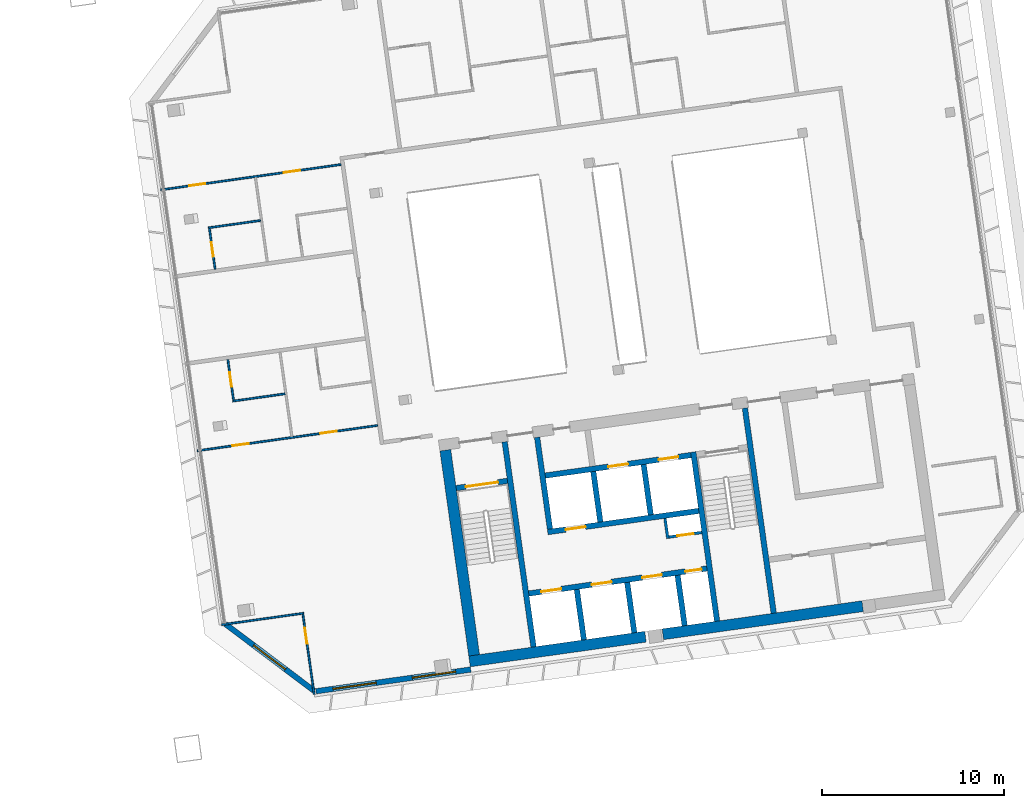
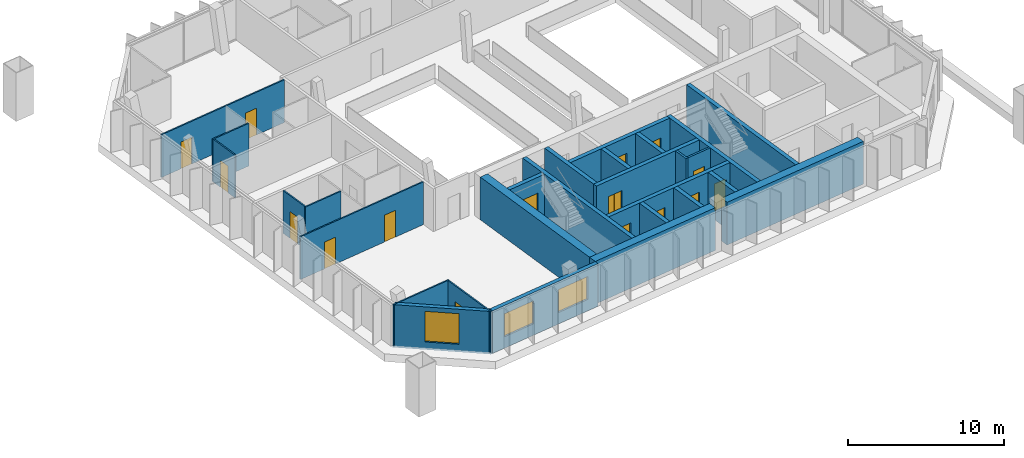
# One storey, part 19 of 26: 28 walls, 16 doors, 3 windows, 19 openings.
"""IFC4 building model written with IfcOpenShell, lengths in metres."""

from ifc_helpers import new_model, si_unit, direction, frame, frame_2d, origin, place, context, subcontext, project, spatial, rectangle, extrude, material, layer, layer_set, type_object, element, fill, save


model = new_model("IFC4")

# Units and contexts
model_context = context("Model", 3, precision=1e-05, world=origin(), true_north=direction((0.0, 1.0)))
body_context = subcontext(model_context, "Body", "Model", "MODEL_VIEW")
ifc_project = project(units=[si_unit("LENGTHUNIT", "METRE"), si_unit("AREAUNIT", "SQUARE_METRE"), si_unit("VOLUMEUNIT", "CUBIC_METRE"), si_unit("PLANEANGLEUNIT", "RADIAN"), si_unit("MASSUNIT", "GRAM", prefix="KILO")], contexts=[model_context])

# Site, building, storey
site_placement = place(None, origin())
site = spatial("IfcSite", under=ifc_project, at=site_placement, CompositionType="ELEMENT")
building_placement = place(site_placement, origin())
building = spatial("IfcBuilding", under=site, at=building_placement, Name="Mirante Cascada Hotel Towers", CompositionType="ELEMENT")
storey_placement = place(building_placement, frame((0.0, 0.0, 235.6)))
storey = spatial("IfcBuildingStorey", under=building, at=storey_placement, Name="L56", CompositionType="ELEMENT", Elevation=235.6)

# Wall
ifc_material_1 = material(Name="Masonry block", Category="masonry")
ifc_layer_1 = layer(ifc_material_1, 0.15)
ifc_layer_set_1 = layer_set([ifc_layer_1], Name="Core room partition 150 block EI 30")
wall_type_1 = type_object("IfcWallType", Name="Core room partition 150 block EI 30", PredefinedType="PARTITIONING", material=ifc_layer_set_1)
wall_1_placement = place(storey_placement, frame((48.2295, -12.793, 0.0), z_axis=(0.0, 0.0, 1.0), x_axis=(-0.1391935, 0.9902652, 0.0)))
element("IfcWall", 1, at=wall_1_placement, inside=storey, type_object=wall_type_1, Name="Core wall partition T2 L56 2", PredefinedType="PARTITIONING", context=body_context, shape_type="SweptSolid", body=[
    extrude(rectangle(XDim=1.1251, YDim=0.15, at=frame_2d((0.5626, 0.0))), origin(), (0.0, 0.0, 1.0), 3.35),
])

# Wall, opening, door
wall_2_placement = place(storey_placement, frame((48.2933, -12.7083, 0.0), z_axis=(0.0, 0.0, 1.0), x_axis=(0.990268, 0.1391734, 0.0)))
wall_2 = element("IfcWall", 2, at=wall_2_placement, inside=storey, type_object=wall_type_1, Name="Core wall partition T2 L56 3", PredefinedType="PARTITIONING", context=body_context, shape_type="SweptSolid", body=[
    extrude(rectangle(XDim=1.8251, YDim=0.15, at=frame_2d((0.9126, 0.0))), origin(), (0.0, 0.0, 1.0), 3.35),
])
opening_1_placement = place(wall_2_placement, frame((0.4625, 0.0, 0.0)))
opening_1 = element("IfcOpeningElement", 3, at=opening_1_placement, cuts=wall_2, Name="Opening D2-56-C15", PredefinedType="OPENING", context=body_context, shape_type="SweptSolid", body=[
    extrude(rectangle(XDim=0.9, YDim=2.1, at=frame_2d((0.45, 1.05))), frame((0.0, 0.075, 0.0), z_axis=(0.0, -1.0, 0.0), x_axis=(1.0, 0.0, 0.0)), (0.0, 0.0, 1.0), 0.15),
])
ifc_material_2 = material(Name="Hollow metal fire door leaf")
door_type_1 = type_object("IfcDoorType", Name="Fire door 900x2100 FD60", OperationType="NOTDEFINED", PredefinedType="DOOR", material=ifc_material_2)
door_1_placement = place(opening_1_placement, frame((0.9, 0.0, 0.0), z_axis=(0.0, 0.0, 1.0), x_axis=(-1.0, 0.0, 0.0)))
door_1 = element("IfcDoor", 4, at=door_1_placement, inside=storey, type_object=door_type_1, Name="Riser door T2 L56 15", OperationType="SINGLE_SWING_RIGHT", OverallHeight=2.1, OverallWidth=0.9, PredefinedType="DOOR", context=body_context, shape_type="SweptSolid", body=[
    extrude(rectangle(XDim=0.9, YDim=2.1, at=frame_2d((0.45, 1.05))), frame((0.0, 0.025, 0.0), z_axis=(0.0, -1.0, 0.0), x_axis=(1.0, 0.0, 0.0)), (0.0, 0.0, 1.0), 0.05),
])
fill(opening_1, door_1)

# Wall
ifc_material_3 = material(Name="Plasterboard on metal studs")
ifc_layer_2 = layer(ifc_material_3, 0.1)
ifc_layer_set_2 = layer_set([ifc_layer_2], Name="Partition 100")
wall_type_2 = type_object("IfcWallType", Name="Partition 100", PredefinedType="PARTITIONING", material=ifc_layer_set_2)
wall_3_placement = place(storey_placement, frame((23.6814, -17.5305, 0.0), z_axis=(0.0, 0.0, 1.0), x_axis=(0.9902695, 0.1391626, 0.0)))
element("IfcWall", 5, at=wall_3_placement, inside=storey, type_object=wall_type_2, Name="Wall 2-L56-01", PredefinedType="PARTITIONING", context=body_context, shape_type="SweptSolid", body=[
    extrude(rectangle(XDim=4.5501, YDim=0.1, at=frame_2d((2.275, 0.0))), origin(), (0.0, 0.0, 1.0), 3.35),
])

# Wall, openings, doors
wall_4_placement = place(storey_placement, frame((22.3361, -7.9579, 0.0), z_axis=(0.0, 0.0, 1.0), x_axis=(0.9902681, 0.1391726, 0.0)))
wall_4 = element("IfcWall", 6, at=wall_4_placement, inside=storey, type_object=wall_type_2, Name="Wall 2-L56-05", PredefinedType="PARTITIONING", context=body_context, shape_type="SweptSolid", body=[
    extrude(rectangle(XDim=10.0185, YDim=0.1, at=frame_2d((5.0092, 0.0))), origin(), (0.0, 0.0, 1.0), 3.35),
])
opening_2_placement = place(wall_4_placement, frame((1.95, 0.0, 0.0)))
opening_2 = element("IfcOpeningElement", 7, at=opening_2_placement, cuts=wall_4, Name="Opening D2-L56-02", PredefinedType="OPENING", context=body_context, shape_type="SweptSolid", body=[
    extrude(rectangle(XDim=0.9, YDim=2.1, at=frame_2d((0.45, 1.05))), frame((0.0, 0.05, 0.0), z_axis=(0.0, -1.0, 0.0), x_axis=(1.0, 0.0, 0.0)), (0.0, 0.0, 1.0), 0.1),
])
opening_3_placement = place(wall_4_placement, frame((6.8389, 0.0, 0.0)))
opening_3 = element("IfcOpeningElement", 8, at=opening_3_placement, cuts=wall_4, Name="Opening D2-L56-03", PredefinedType="OPENING", context=body_context, shape_type="SweptSolid", body=[
    extrude(rectangle(XDim=0.9, YDim=2.1, at=frame_2d((0.45, 1.05))), frame((0.0, 0.05, 0.0), z_axis=(0.0, -1.0, 0.0), x_axis=(1.0, 0.0, 0.0)), (0.0, 0.0, 1.0), 0.1),
])
ifc_material_4 = material(Name="Timber door leaf", Category="wood")
door_type_2 = type_object("IfcDoorType", Name="Room door DG3 900x2100", OperationType="SINGLE_SWING_LEFT", PredefinedType="DOOR", material=ifc_material_4)
door_2_placement = place(opening_2_placement, frame((0.9, 0.0, 0.0), z_axis=(0.0, 0.0, 1.0), x_axis=(-1.0, 0.0, 0.0)))
door_2 = element("IfcDoor", 9, at=door_2_placement, inside=storey, type_object=door_type_2, Name="Door D2-L56-02", OperationType="SINGLE_SWING_RIGHT", OverallHeight=2.1, OverallWidth=0.9, PredefinedType="DOOR", context=body_context, shape_type="SweptSolid", body=[
    extrude(rectangle(XDim=0.9, YDim=2.1, at=frame_2d((0.45, 1.05))), frame((0.0, 0.025, 0.0), z_axis=(0.0, -1.0, 0.0), x_axis=(1.0, 0.0, 0.0)), (0.0, 0.0, 1.0), 0.05),
])
fill(opening_2, door_2)
door_3_placement = place(opening_3_placement, frame((0.9, 0.0, 0.0), z_axis=(0.0, 0.0, 1.0), x_axis=(-1.0, 0.0, 0.0)))
door_3 = element("IfcDoor", 10, at=door_3_placement, inside=storey, type_object=door_type_2, Name="Door D2-L56-03", OperationType="SINGLE_SWING_RIGHT", OverallHeight=2.1, OverallWidth=0.9, PredefinedType="DOOR", context=body_context, shape_type="SweptSolid", body=[
    extrude(rectangle(XDim=0.9, YDim=2.1, at=frame_2d((0.45, 1.05))), frame((0.0, 0.025, 0.0), z_axis=(0.0, -1.0, 0.0), x_axis=(1.0, 0.0, 0.0)), (0.0, 0.0, 1.0), 0.05),
])
fill(opening_3, door_3)

# Walls
wall_5_placement = place(storey_placement, frame((24.2842, -5.2269, 0.0), z_axis=(0.0, 0.0, 1.0), x_axis=(0.9902676, 0.1391761, 0.0)))
element("IfcWall", 11, at=wall_5_placement, inside=storey, type_object=wall_type_2, Name="Wall 2-L56-07", PredefinedType="PARTITIONING", context=body_context, shape_type="SweptSolid", body=[
    extrude(rectangle(XDim=2.8999, YDim=0.1, at=frame_2d((1.45, 0.0))), origin(), (0.0, 0.0, 1.0), 3.35),
])
wall_6_placement = place(storey_placement, frame((22.9435, 4.3127, 0.0), z_axis=(0.0, 0.0, 1.0), x_axis=(0.9902683, 0.1391714, 0.0)))
element("IfcWall", 12, at=wall_6_placement, inside=storey, type_object=wall_type_2, Name="Wall 2-L56-11", PredefinedType="PARTITIONING", context=body_context, shape_type="SweptSolid", body=[
    extrude(rectangle(XDim=2.9, YDim=0.1, at=frame_2d((1.45, 0.0))), origin(), (0.0, 0.0, 1.0), 3.35),
])

# Wall, openings, doors
wall_7_placement = place(storey_placement, frame((20.3181, 6.401, 0.0), z_axis=(0.0, 0.0, 1.0), x_axis=(0.9902681, 0.1391726, 0.0)))
wall_7 = element("IfcWall", 13, at=wall_7_placement, inside=storey, type_object=wall_type_2, Name="Wall 2-L56-13", PredefinedType="PARTITIONING", context=body_context, shape_type="SweptSolid", body=[
    extrude(rectangle(XDim=10.0185, YDim=0.1, at=frame_2d((5.0092, 0.0))), origin(), (0.0, 0.0, 1.0), 3.35),
])
opening_4_placement = place(wall_7_placement, frame((1.5796, 0.0, 0.0)))
opening_4 = element("IfcOpeningElement", 14, at=opening_4_placement, cuts=wall_7, Name="Opening D2-L56-04", PredefinedType="OPENING", context=body_context, shape_type="SweptSolid", body=[
    extrude(rectangle(XDim=0.9, YDim=2.1, at=frame_2d((0.45, 1.05))), frame((0.0, 0.05, 0.0), z_axis=(0.0, -1.0, 0.0), x_axis=(1.0, 0.0, 0.0)), (0.0, 0.0, 1.0), 0.1),
])
opening_5_placement = place(wall_7_placement, frame((6.8389, 0.0, 0.0)))
opening_5 = element("IfcOpeningElement", 15, at=opening_5_placement, cuts=wall_7, Name="Opening D2-L56-05", PredefinedType="OPENING", context=body_context, shape_type="SweptSolid", body=[
    extrude(rectangle(XDim=0.9, YDim=2.1, at=frame_2d((0.45, 1.05))), frame((0.0, 0.05, 0.0), z_axis=(0.0, -1.0, 0.0), x_axis=(1.0, 0.0, 0.0)), (0.0, 0.0, 1.0), 0.1),
])
door_4_placement = place(opening_4_placement, origin())
door_4 = element("IfcDoor", 16, at=door_4_placement, inside=storey, type_object=door_type_2, Name="Door D2-L56-04", OperationType="SINGLE_SWING_LEFT", OverallHeight=2.1, OverallWidth=0.9, PredefinedType="DOOR", context=body_context, shape_type="SweptSolid", body=[
    extrude(rectangle(XDim=0.9, YDim=2.1, at=frame_2d((0.45, 1.05))), frame((0.0, 0.025, 0.0), z_axis=(0.0, -1.0, 0.0), x_axis=(1.0, 0.0, 0.0)), (0.0, 0.0, 1.0), 0.05),
])
fill(opening_4, door_4)
door_5_placement = place(opening_5_placement, origin())
door_5 = element("IfcDoor", 17, at=door_5_placement, inside=storey, type_object=door_type_2, Name="Door D2-L56-05", OperationType="SINGLE_SWING_LEFT", OverallHeight=2.1, OverallWidth=0.9, PredefinedType="DOOR", context=body_context, shape_type="SweptSolid", body=[
    extrude(rectangle(XDim=0.9, YDim=2.1, at=frame_2d((0.45, 1.05))), frame((0.0, 0.025, 0.0), z_axis=(0.0, -1.0, 0.0), x_axis=(1.0, 0.0, 0.0)), (0.0, 0.0, 1.0), 0.05),
])
fill(opening_5, door_5)

# Wall, opening, door
wall_8_placement = place(storey_placement, frame((24.0136, -2.9423, 0.0), z_axis=(0.0, 0.0, 1.0), x_axis=(0.1391561, -0.9902705, 0.0)))
wall_8 = element("IfcWall", 18, at=wall_8_placement, inside=storey, type_object=wall_type_2, Name="Wall 2-L56-24", PredefinedType="PARTITIONING", context=body_context, shape_type="SweptSolid", body=[
    extrude(rectangle(XDim=2.25, YDim=0.1, at=frame_2d((1.125, 0.0))), origin(), (0.0, 0.0, 1.0), 3.35),
])
opening_6_placement = place(wall_8_placement, frame((0.7, 0.0, 0.0)))
opening_6 = element("IfcOpeningElement", 19, at=opening_6_placement, cuts=wall_8, Name="Opening D2-L56-16", PredefinedType="OPENING", context=body_context, shape_type="SweptSolid", body=[
    extrude(rectangle(XDim=0.8, YDim=2.1, at=frame_2d((0.4, 1.05))), frame((0.0, 0.05, 0.0), z_axis=(0.0, -1.0, 0.0), x_axis=(1.0, 0.0, 0.0)), (0.0, 0.0, 1.0), 0.1),
])
ifc_material_5 = material(Name="Timber door leaf", Category="wood")
door_type_3 = type_object("IfcDoorType", Name="Bathroom door DG4 800x2100", OperationType="SINGLE_SWING_LEFT", PredefinedType="DOOR", material=ifc_material_5)
door_6_placement = place(opening_6_placement, origin())
door_6 = element("IfcDoor", 20, at=door_6_placement, inside=storey, type_object=door_type_3, Name="Door D2-L56-16", OperationType="SINGLE_SWING_LEFT", OverallHeight=2.1, OverallWidth=0.8, PredefinedType="DOOR", context=body_context, shape_type="SweptSolid", body=[
    extrude(rectangle(XDim=0.8, YDim=2.1, at=frame_2d((0.4, 1.05))), frame((0.0, 0.025, 0.0), z_axis=(0.0, -1.0, 0.0), x_axis=(1.0, 0.0, 0.0)), (0.0, 0.0, 1.0), 0.05),
])
fill(opening_6, door_6)

wall_9_placement = place(storey_placement, frame((23.3131, 2.042, 0.0), z_axis=(0.0, 0.0, 1.0), x_axis=(-0.1391997, 0.9902643, 0.0)))
wall_9 = element("IfcWall", 21, at=wall_9_placement, inside=storey, type_object=wall_type_2, Name="Wall 2-L56-25", PredefinedType="PARTITIONING", context=body_context, shape_type="SweptSolid", body=[
    extrude(rectangle(XDim=2.25, YDim=0.1, at=frame_2d((1.125, 0.0))), origin(), (0.0, 0.0, 1.0), 3.35),
])
opening_7_placement = place(wall_9_placement, frame((0.7, 0.0, 0.0)))
opening_7 = element("IfcOpeningElement", 22, at=opening_7_placement, cuts=wall_9, Name="Opening D2-L56-17", PredefinedType="OPENING", context=body_context, shape_type="SweptSolid", body=[
    extrude(rectangle(XDim=0.8, YDim=2.1, at=frame_2d((0.4, 1.05))), frame((0.0, 0.05, 0.0), z_axis=(0.0, -1.0, 0.0), x_axis=(1.0, 0.0, 0.0)), (0.0, 0.0, 1.0), 0.1),
])
door_7_placement = place(opening_7_placement, frame((0.8, 0.0, 0.0), z_axis=(0.0, 0.0, 1.0), x_axis=(-1.0, 0.0, 0.0)))
door_7 = element("IfcDoor", 23, at=door_7_placement, inside=storey, type_object=door_type_3, Name="Door D2-L56-17", OperationType="SINGLE_SWING_RIGHT", OverallHeight=2.1, OverallWidth=0.8, PredefinedType="DOOR", context=body_context, shape_type="SweptSolid", body=[
    extrude(rectangle(XDim=0.8, YDim=2.1, at=frame_2d((0.4, 1.05))), frame((0.0, 0.025, 0.0), z_axis=(0.0, -1.0, 0.0), x_axis=(1.0, 0.0, 0.0)), (0.0, 0.0, 1.0), 0.05),
])
fill(opening_7, door_7)

wall_10_placement = place(storey_placement, frame((28.1446, -16.9538, 0.0), z_axis=(0.0, 0.0, 1.0), x_axis=(0.1391715, -0.9902683, 0.0)))
wall_10 = element("IfcWall", 24, at=wall_10_placement, inside=storey, type_object=wall_type_2, Name="Wall 2-L56-26", PredefinedType="PARTITIONING", context=body_context, shape_type="SweptSolid", body=[
    extrude(rectangle(XDim=4.4499, YDim=0.1, at=frame_2d((2.225, 0.0))), origin(), (0.0, 0.0, 1.0), 3.35),
])
opening_8_placement = place(wall_10_placement, frame((0.75, 0.0, 0.0)))
opening_8 = element("IfcOpeningElement", 25, at=opening_8_placement, cuts=wall_10, Name="Opening D2-L56-18", PredefinedType="OPENING", context=body_context, shape_type="SweptSolid", body=[
    extrude(rectangle(XDim=0.9, YDim=2.1, at=frame_2d((0.45, 1.05))), frame((0.0, 0.05, 0.0), z_axis=(0.0, -1.0, 0.0), x_axis=(1.0, 0.0, 0.0)), (0.0, 0.0, 1.0), 0.1),
])
door_8_placement = place(opening_8_placement, origin())
door_8 = element("IfcDoor", 26, at=door_8_placement, inside=storey, type_object=door_type_2, Name="Door D2-L56-18", OperationType="SINGLE_SWING_LEFT", OverallHeight=2.1, OverallWidth=0.9, PredefinedType="DOOR", context=body_context, shape_type="SweptSolid", body=[
    extrude(rectangle(XDim=0.9, YDim=2.1, at=frame_2d((0.45, 1.05))), frame((0.0, 0.025, 0.0), z_axis=(0.0, -1.0, 0.0), x_axis=(1.0, 0.0, 0.0)), (0.0, 0.0, 1.0), 0.05),
])
fill(opening_8, door_8)

# Wall, openings, windows
ifc_material_6 = material(Name="Precast concrete C40/50", Category="concrete")
ifc_layer_3 = layer(ifc_material_6, 0.3)
ifc_layer_set_3 = layer_set([ifc_layer_3], Name="Precast concrete C40/50 cladding wall 300")
wall_type_3 = type_object("IfcWallType", Name="Precast concrete C40/50 cladding wall 300", PredefinedType="STANDARD", material=ifc_layer_set_3)
wall_11_placement = place(storey_placement, frame((28.8659, -21.1946, 0.0), z_axis=(0.0, 0.0, 1.0), x_axis=(0.9902683, 0.1391714, 0.0)))
wall_11 = element("IfcWall", 27, at=wall_11_placement, inside=storey, type_object=wall_type_3, Name="Rear cladding wall T2 L56 1", PredefinedType="STANDARD", context=body_context, shape_type="SweptSolid", body=[
    extrude(rectangle(XDim=8.5944, YDim=0.3, at=frame_2d((4.2972, 0.0))), origin(), (0.0, 0.0, 1.0), 3.35),
])
opening_9_placement = place(wall_11_placement, frame((0.9439, 0.0, 0.9)))
opening_9 = element("IfcOpeningElement", 28, at=opening_9_placement, cuts=wall_11, Name="Opening W2-56-01", PredefinedType="OPENING", context=body_context, shape_type="SweptSolid", body=[
    extrude(rectangle(XDim=2.4, YDim=1.8, at=frame_2d((1.2, 0.9))), frame((0.0, 0.15, 0.0), z_axis=(0.0, -1.0, 0.0), x_axis=(1.0, 0.0, 0.0)), (0.0, 0.0, 1.0), 0.3),
])
opening_10_placement = place(wall_11_placement, frame((5.3557, 0.0, 0.9)))
opening_10 = element("IfcOpeningElement", 29, at=opening_10_placement, cuts=wall_11, Name="Opening W2-56-02", PredefinedType="OPENING", context=body_context, shape_type="SweptSolid", body=[
    extrude(rectangle(XDim=2.4, YDim=1.8, at=frame_2d((1.2, 0.9))), frame((0.0, 0.15, 0.0), z_axis=(0.0, -1.0, 0.0), x_axis=(1.0, 0.0, 0.0)), (0.0, 0.0, 1.0), 0.3),
])
ifc_material_7 = material(Name="Aluminium frame with clear double glazing", Category="aluminium")
window_type_1 = type_object("IfcWindowType", Name="Punched window 2400x1800", PartitioningType="DOUBLE_PANEL_VERTICAL", PredefinedType="WINDOW", material=ifc_material_7)
window_1_placement = place(opening_9_placement, origin())
window_1 = element("IfcWindow", 30, at=window_1_placement, inside=storey, type_object=window_type_1, Name="Window W2-56-01", OverallHeight=1.8, OverallWidth=2.4, PartitioningType="SINGLE_PANEL", PredefinedType="WINDOW", context=body_context, shape_type="SweptSolid", body=[
    extrude(rectangle(XDim=2.4, YDim=1.8, at=frame_2d((1.2, 0.9))), frame((0.0, 0.03, 0.0), z_axis=(0.0, -1.0, 0.0), x_axis=(1.0, 0.0, 0.0)), (0.0, 0.0, 1.0), 0.06),
])
fill(opening_9, window_1)
window_2_placement = place(opening_10_placement, origin())
window_2 = element("IfcWindow", 31, at=window_2_placement, inside=storey, type_object=window_type_1, Name="Window W2-56-02", OverallHeight=1.8, OverallWidth=2.4, PartitioningType="SINGLE_PANEL", PredefinedType="WINDOW", context=body_context, shape_type="SweptSolid", body=[
    extrude(rectangle(XDim=2.4, YDim=1.8, at=frame_2d((1.2, 0.9))), frame((0.0, 0.03, 0.0), z_axis=(0.0, -1.0, 0.0), x_axis=(1.0, 0.0, 0.0)), (0.0, 0.0, 1.0), 0.06),
])
fill(opening_10, window_2)

# Wall, opening, window
wall_12_placement = place(storey_placement, frame((23.8708, -17.4854, 0.0), z_axis=(0.0, 0.0, 1.0), x_axis=(0.7986362, -0.6018141, 0.0)))
wall_12 = element("IfcWall", 32, at=wall_12_placement, inside=storey, type_object=wall_type_3, Name="Corner cladding wall T2 L56 inner rear", PredefinedType="STANDARD", context=body_context, shape_type="SweptSolid", body=[
    extrude(rectangle(XDim=6.1157, YDim=0.3, at=frame_2d((3.0578, 0.0))), origin(), (0.0, 0.0, 1.0), 3.35),
])
opening_11_placement = place(wall_12_placement, frame((1.9578, 0.0, 0.6)))
opening_11 = element("IfcOpeningElement", 33, at=opening_11_placement, cuts=wall_12, Name="Opening W2-56-06", PredefinedType="OPENING", context=body_context, shape_type="SweptSolid", body=[
    extrude(rectangle(XDim=2.2, YDim=2.4, at=frame_2d((1.1, 1.2))), frame((0.0, 0.15, 0.0), z_axis=(0.0, -1.0, 0.0), x_axis=(1.0, 0.0, 0.0)), (0.0, 0.0, 1.0), 0.3),
])
ifc_material_8 = material(Name="Aluminium frame with clear double glazing", Category="aluminium")
window_type_2 = type_object("IfcWindowType", Name="Corner suite window 2200x2400", PartitioningType="DOUBLE_PANEL_VERTICAL", PredefinedType="WINDOW", material=ifc_material_8)
window_3_placement = place(opening_11_placement, origin())
window_3 = element("IfcWindow", 34, at=window_3_placement, inside=storey, type_object=window_type_2, Name="Window W2-56-06", OverallHeight=2.4, OverallWidth=2.2, PartitioningType="SINGLE_PANEL", PredefinedType="WINDOW", context=body_context, shape_type="SweptSolid", body=[
    extrude(rectangle(XDim=2.2, YDim=2.4, at=frame_2d((1.1, 1.2))), frame((0.0, 0.03, 0.0), z_axis=(0.0, -1.0, 0.0), x_axis=(1.0, 0.0, 0.0)), (0.0, 0.0, 1.0), 0.06),
])
fill(opening_11, window_3)

# Walls
ifc_material_9 = material(Name="Concrete C50/60", Category="concrete")
ifc_layer_4 = layer(ifc_material_9, 0.3)
ifc_layer_set_4 = layer_set([ifc_layer_4], Name="RC core wall 300 C50/60")
wall_type_4 = type_object("IfcWallType", Name="RC core wall 300 C50/60", PredefinedType="SHEAR", material=ifc_layer_set_4)
wall_13_placement = place(storey_placement, frame((40.8373, -18.7548, 0.0), z_axis=(0.0, 0.0, 1.0), x_axis=(-0.1391749, 0.9902678, 0.0)))
element("IfcWall", 35, at=wall_13_placement, inside=storey, type_object=wall_type_4, Name="Core wall T2:L56:5", PredefinedType="SHEAR", context=body_context, shape_type="SweptSolid", body=[
    extrude(rectangle(XDim=11.4, YDim=0.3, at=frame_2d((5.7, 0.0))), origin(), (0.0, 0.0, 1.0), 3.35),
])
wall_14_placement = place(storey_placement, frame((50.938, -17.3352, 0.0), z_axis=(0.0, 0.0, 1.0), x_axis=(-0.1391706, 0.9902684, 0.0)))
element("IfcWall", 36, at=wall_14_placement, inside=storey, type_object=wall_type_4, Name="Core wall T2:L56:6", PredefinedType="SHEAR", context=body_context, shape_type="SweptSolid", body=[
    extrude(rectangle(XDim=9.4, YDim=0.3, at=frame_2d((4.7, 0.0))), origin(), (0.0, 0.0, 1.0), 3.35),
])
wall_15_placement = place(storey_placement, frame((54.0574, -16.8968, 0.0), z_axis=(0.0, 0.0, 1.0), x_axis=(-0.1391761, 0.9902677, 0.0)))
element("IfcWall", 37, at=wall_15_placement, inside=storey, type_object=wall_type_4, Name="Core wall T2:L56:7", PredefinedType="SHEAR", context=body_context, shape_type="SweptSolid", body=[
    extrude(rectangle(XDim=11.3999, YDim=0.3, at=frame_2d((5.7, 0.0))), origin(), (0.0, 0.0, 1.0), 3.35),
])

# Wall, opening, door
wall_16_placement = place(storey_placement, frame((36.5791, -10.0123, 0.0), z_axis=(0.0, 0.0, 1.0), x_axis=(0.9902704, 0.1391564, 0.0)))
wall_16 = element("IfcWall", 38, at=wall_16_placement, inside=storey, type_object=wall_type_4, Name="Core wall T2:L56:8", PredefinedType="SHEAR", context=body_context, shape_type="SweptSolid", body=[
    extrude(rectangle(XDim=2.85, YDim=0.3, at=frame_2d((1.425, 0.0))), origin(), (0.0, 0.0, 1.0), 3.35),
])
opening_12_placement = place(wall_16_placement, frame((0.525, 0.0, 0.0)))
opening_12 = element("IfcOpeningElement", 39, at=opening_12_placement, cuts=wall_16, Name="Opening D2-56-C07", PredefinedType="OPENING", context=body_context, shape_type="SweptSolid", body=[
    extrude(rectangle(XDim=1.8, YDim=2.1, at=frame_2d((0.9, 1.05))), frame((0.0, 0.15, 0.0), z_axis=(0.0, -1.0, 0.0), x_axis=(1.0, 0.0, 0.0)), (0.0, 0.0, 1.0), 0.3),
])
ifc_material_10 = material(Name="Hollow metal fire door leaf")
door_type_4 = type_object("IfcDoorType", Name="Double fire door 1800x2100 FD60", OperationType="DOUBLE_DOOR_SINGLE_SWING", PredefinedType="DOOR", material=ifc_material_10)
door_9_placement = place(opening_12_placement, frame((1.8, 0.0, 0.0), z_axis=(0.0, 0.0, 1.0), x_axis=(-1.0, 0.0, 0.0)))
door_9 = element("IfcDoor", 40, at=door_9_placement, inside=storey, type_object=door_type_4, Name="Stair door T2 L56 7", OperationType="DOUBLE_DOOR_SINGLE_SWING", OverallHeight=2.1, OverallWidth=1.8, PredefinedType="DOOR", context=body_context, shape_type="SweptSolid", body=[
    extrude(rectangle(XDim=0.895, YDim=2.1, at=frame_2d((0.4475, 1.05))), frame((0.0, 0.025, 0.0), z_axis=(0.0, -1.0, 0.0), x_axis=(1.0, 0.0, 0.0)), (0.0, 0.0, 1.0), 0.05),
    extrude(rectangle(XDim=0.895, YDim=2.1, at=frame_2d((1.3525, 1.05))), frame((0.0, 0.025, 0.0), z_axis=(0.0, -1.0, 0.0), x_axis=(1.0, 0.0, 0.0)), (0.0, 0.0, 1.0), 0.05),
])
fill(opening_12, door_9)

# Wall, openings, doors
wall_17_placement = place(storey_placement, frame((40.5753, -15.8126, 0.0), z_axis=(0.0, 0.0, 1.0), x_axis=(0.9902682, 0.1391725, 0.0)))
wall_17 = element("IfcWall", 41, at=wall_17_placement, inside=storey, type_object=wall_type_4, Name="Core wall T2:L56:10", PredefinedType="SHEAR", context=body_context, shape_type="SweptSolid", body=[
    extrude(rectangle(XDim=9.8999, YDim=0.3, at=frame_2d((4.95, 0.0))), origin(), (0.0, 0.0, 1.0), 3.35),
])
opening_13_placement = place(wall_17_placement, frame((0.7, 0.0, 0.0)))
opening_13 = element("IfcOpeningElement", 42, at=opening_13_placement, cuts=wall_17, Name="Opening LD", PredefinedType="OPENING", context=body_context, shape_type="SweptSolid", body=[
    extrude(rectangle(XDim=1.1, YDim=2.1, at=frame_2d((0.55, 1.05))), frame((0.0, 0.15, 0.0), z_axis=(0.0, -1.0, 0.0), x_axis=(1.0, 0.0, 0.0)), (0.0, 0.0, 1.0), 0.3),
])
opening_14_placement = place(wall_17_placement, frame((3.5, 0.0, 0.0)))
opening_14 = element("IfcOpeningElement", 43, at=opening_14_placement, cuts=wall_17, Name="Opening LD", PredefinedType="OPENING", context=body_context, shape_type="SweptSolid", body=[
    extrude(rectangle(XDim=1.1, YDim=2.1, at=frame_2d((0.55, 1.05))), frame((0.0, 0.15, 0.0), z_axis=(0.0, -1.0, 0.0), x_axis=(1.0, 0.0, 0.0)), (0.0, 0.0, 1.0), 0.3),
])
opening_15_placement = place(wall_17_placement, frame((6.3, 0.0, 0.0)))
opening_15 = element("IfcOpeningElement", 44, at=opening_15_placement, cuts=wall_17, Name="Opening LD", PredefinedType="OPENING", context=body_context, shape_type="SweptSolid", body=[
    extrude(rectangle(XDim=1.1, YDim=2.1, at=frame_2d((0.55, 1.05))), frame((0.0, 0.15, 0.0), z_axis=(0.0, -1.0, 0.0), x_axis=(1.0, 0.0, 0.0)), (0.0, 0.0, 1.0), 0.3),
])
opening_16_placement = place(wall_17_placement, frame((8.7, 0.0, 0.0)))
opening_16 = element("IfcOpeningElement", 45, at=opening_16_placement, cuts=wall_17, Name="Opening D2-56-C14", PredefinedType="OPENING", context=body_context, shape_type="SweptSolid", body=[
    extrude(rectangle(XDim=0.9, YDim=2.1, at=frame_2d((0.45, 1.05))), frame((0.0, 0.15, 0.0), z_axis=(0.0, -1.0, 0.0), x_axis=(1.0, 0.0, 0.0)), (0.0, 0.0, 1.0), 0.3),
])
door_10_placement = place(opening_16_placement, frame((0.9, 0.0, 0.0), z_axis=(0.0, 0.0, 1.0), x_axis=(-1.0, 0.0, 0.0)))
door_10 = element("IfcDoor", 46, at=door_10_placement, inside=storey, type_object=door_type_1, Name="Riser door T2 L56 14", OperationType="SINGLE_SWING_RIGHT", OverallHeight=2.1, OverallWidth=0.9, PredefinedType="DOOR", context=body_context, shape_type="SweptSolid", body=[
    extrude(rectangle(XDim=0.9, YDim=2.1, at=frame_2d((0.45, 1.05))), frame((0.0, 0.025, 0.0), z_axis=(0.0, -1.0, 0.0), x_axis=(1.0, 0.0, 0.0)), (0.0, 0.0, 1.0), 0.05),
])
fill(opening_16, door_10)
ifc_material_11 = material(Name="Stainless steel", Category="steel")
door_type_5 = type_object("IfcDoorType", Name="Lift landing door 1100x2100 EI 120", OperationType="DOUBLE_DOOR_SLIDING", PredefinedType="DOOR", material=ifc_material_11)
door_11_placement = place(opening_13_placement, origin())
door_11 = element("IfcDoor", 47, at=door_11_placement, inside=storey, type_object=door_type_5, Name="Lift landing door HR2-1 L56", OperationType="DOUBLE_DOOR_SLIDING", OverallHeight=2.1, OverallWidth=1.1, PredefinedType="DOOR", context=body_context, shape_type="SweptSolid", body=[
    extrude(rectangle(XDim=0.545, YDim=2.1, at=frame_2d((0.2725, 1.05))), frame((0.0, 0.025, 0.0), z_axis=(0.0, -1.0, 0.0), x_axis=(1.0, 0.0, 0.0)), (0.0, 0.0, 1.0), 0.05),
    extrude(rectangle(XDim=0.545, YDim=2.1, at=frame_2d((0.8275, 1.05))), frame((0.0, 0.025, 0.0), z_axis=(0.0, -1.0, 0.0), x_axis=(1.0, 0.0, 0.0)), (0.0, 0.0, 1.0), 0.05),
])
fill(opening_13, door_11)
door_12_placement = place(opening_14_placement, origin())
door_12 = element("IfcDoor", 48, at=door_12_placement, inside=storey, type_object=door_type_5, Name="Lift landing door HR2-2 L56", OperationType="DOUBLE_DOOR_SLIDING", OverallHeight=2.1, OverallWidth=1.1, PredefinedType="DOOR", context=body_context, shape_type="SweptSolid", body=[
    extrude(rectangle(XDim=0.545, YDim=2.1, at=frame_2d((0.2725, 1.05))), frame((0.0, 0.025, 0.0), z_axis=(0.0, -1.0, 0.0), x_axis=(1.0, 0.0, 0.0)), (0.0, 0.0, 1.0), 0.05),
    extrude(rectangle(XDim=0.545, YDim=2.1, at=frame_2d((0.8275, 1.05))), frame((0.0, 0.025, 0.0), z_axis=(0.0, -1.0, 0.0), x_axis=(1.0, 0.0, 0.0)), (0.0, 0.0, 1.0), 0.05),
])
fill(opening_14, door_12)
door_13_placement = place(opening_15_placement, origin())
door_13 = element("IfcDoor", 49, at=door_13_placement, inside=storey, type_object=door_type_5, Name="Lift landing door HR2-3 L56", OperationType="DOUBLE_DOOR_SLIDING", OverallHeight=2.1, OverallWidth=1.1, PredefinedType="DOOR", context=body_context, shape_type="SweptSolid", body=[
    extrude(rectangle(XDim=0.545, YDim=2.1, at=frame_2d((0.2725, 1.05))), frame((0.0, 0.025, 0.0), z_axis=(0.0, -1.0, 0.0), x_axis=(1.0, 0.0, 0.0)), (0.0, 0.0, 1.0), 0.05),
    extrude(rectangle(XDim=0.545, YDim=2.1, at=frame_2d((0.8275, 1.05))), frame((0.0, 0.025, 0.0), z_axis=(0.0, -1.0, 0.0), x_axis=(1.0, 0.0, 0.0)), (0.0, 0.0, 1.0), 0.05),
])
fill(opening_15, door_13)

# Wall, opening, door
wall_18_placement = place(storey_placement, frame((41.6153, -12.435, 0.0), z_axis=(0.0, 0.0, 1.0), x_axis=(0.9902691, 0.139166, 0.0)))
wall_18 = element("IfcWall", 50, at=wall_18_placement, inside=storey, type_object=wall_type_4, Name="Core wall T2:L56:11", PredefinedType="SHEAR", context=body_context, shape_type="SweptSolid", body=[
    extrude(rectangle(XDim=8.4, YDim=0.3, at=frame_2d((4.2, 0.0))), origin(), (0.0, 0.0, 1.0), 3.35),
])
opening_17_placement = place(wall_18_placement, frame((1.0, 0.0, 0.0)))
opening_17 = element("IfcOpeningElement", 51, at=opening_17_placement, cuts=wall_18, Name="Opening LD", PredefinedType="OPENING", context=body_context, shape_type="SweptSolid", body=[
    extrude(rectangle(XDim=1.1, YDim=2.1, at=frame_2d((0.55, 1.05))), frame((0.0, 0.15, 0.0), z_axis=(0.0, -1.0, 0.0), x_axis=(1.0, 0.0, 0.0)), (0.0, 0.0, 1.0), 0.3),
])
door_14_placement = place(opening_17_placement, origin())
door_14 = element("IfcDoor", 52, at=door_14_placement, inside=storey, type_object=door_type_5, Name="Lift landing door HR2-4 L56", OperationType="DOUBLE_DOOR_SLIDING", OverallHeight=2.1, OverallWidth=1.1, PredefinedType="DOOR", context=body_context, shape_type="SweptSolid", body=[
    extrude(rectangle(XDim=0.545, YDim=2.1, at=frame_2d((0.2725, 1.05))), frame((0.0, 0.025, 0.0), z_axis=(0.0, -1.0, 0.0), x_axis=(1.0, 0.0, 0.0)), (0.0, 0.0, 1.0), 0.05),
    extrude(rectangle(XDim=0.545, YDim=2.1, at=frame_2d((0.8275, 1.05))), frame((0.0, 0.025, 0.0), z_axis=(0.0, -1.0, 0.0), x_axis=(1.0, 0.0, 0.0)), (0.0, 0.0, 1.0), 0.05),
])
fill(opening_17, door_14)

# Wall, openings, doors
wall_19_placement = place(storey_placement, frame((41.481, -9.3234, 0.0), z_axis=(0.0, 0.0, 1.0), x_axis=(0.9902679, 0.1391741, 0.0)))
wall_19 = element("IfcWall", 53, at=wall_19_placement, inside=storey, type_object=wall_type_4, Name="Core wall T2:L56:12", PredefinedType="SHEAR", context=body_context, shape_type="SweptSolid", body=[
    extrude(rectangle(XDim=8.0999, YDim=0.3, at=frame_2d((4.05, 0.0))), origin(), (0.0, 0.0, 1.0), 3.35),
])
opening_18_placement = place(wall_19_placement, frame((3.5, 0.0, 0.0)))
opening_18 = element("IfcOpeningElement", 54, at=opening_18_placement, cuts=wall_19, Name="Opening LD", PredefinedType="OPENING", context=body_context, shape_type="SweptSolid", body=[
    extrude(rectangle(XDim=1.1, YDim=2.1, at=frame_2d((0.55, 1.05))), frame((0.0, 0.15, 0.0), z_axis=(0.0, -1.0, 0.0), x_axis=(1.0, 0.0, 0.0)), (0.0, 0.0, 1.0), 0.3),
])
opening_19_placement = place(wall_19_placement, frame((6.3, 0.0, 0.0)))
opening_19 = element("IfcOpeningElement", 55, at=opening_19_placement, cuts=wall_19, Name="Opening LD", PredefinedType="OPENING", context=body_context, shape_type="SweptSolid", body=[
    extrude(rectangle(XDim=1.1, YDim=2.1, at=frame_2d((0.55, 1.05))), frame((0.0, 0.15, 0.0), z_axis=(0.0, -1.0, 0.0), x_axis=(1.0, 0.0, 0.0)), (0.0, 0.0, 1.0), 0.3),
])
door_15_placement = place(opening_18_placement, origin())
door_15 = element("IfcDoor", 56, at=door_15_placement, inside=storey, type_object=door_type_5, Name="Lift landing door FF3 L56", OperationType="DOUBLE_DOOR_SLIDING", OverallHeight=2.1, OverallWidth=1.1, PredefinedType="DOOR", context=body_context, shape_type="SweptSolid", body=[
    extrude(rectangle(XDim=0.545, YDim=2.1, at=frame_2d((0.2725, 1.05))), frame((0.0, 0.025, 0.0), z_axis=(0.0, -1.0, 0.0), x_axis=(1.0, 0.0, 0.0)), (0.0, 0.0, 1.0), 0.05),
    extrude(rectangle(XDim=0.545, YDim=2.1, at=frame_2d((0.8275, 1.05))), frame((0.0, 0.025, 0.0), z_axis=(0.0, -1.0, 0.0), x_axis=(1.0, 0.0, 0.0)), (0.0, 0.0, 1.0), 0.05),
])
fill(opening_18, door_15)
door_16_placement = place(opening_19_placement, origin())
door_16 = element("IfcDoor", 57, at=door_16_placement, inside=storey, type_object=door_type_5, Name="Lift landing door FF4 L56", OperationType="DOUBLE_DOOR_SLIDING", OverallHeight=2.1, OverallWidth=1.1, PredefinedType="DOOR", context=body_context, shape_type="SweptSolid", body=[
    extrude(rectangle(XDim=0.545, YDim=2.1, at=frame_2d((0.2725, 1.05))), frame((0.0, 0.025, 0.0), z_axis=(0.0, -1.0, 0.0), x_axis=(1.0, 0.0, 0.0)), (0.0, 0.0, 1.0), 0.05),
    extrude(rectangle(XDim=0.545, YDim=2.1, at=frame_2d((0.8275, 1.05))), frame((0.0, 0.025, 0.0), z_axis=(0.0, -1.0, 0.0), x_axis=(1.0, 0.0, 0.0)), (0.0, 0.0, 1.0), 0.05),
])
fill(opening_19, door_16)

# Walls
wall_20_placement = place(storey_placement, frame((43.61, -18.3651, 0.0), z_axis=(0.0, 0.0, 1.0), x_axis=(-0.1391459, 0.9902719, 0.0)))
element("IfcWall", 58, at=wall_20_placement, inside=storey, type_object=wall_type_4, Name="Core wall T2:L56:13", PredefinedType="SHEAR", context=body_context, shape_type="SweptSolid", body=[
    extrude(rectangle(XDim=2.7999, YDim=0.3, at=frame_2d((1.4, 0.0))), origin(), (0.0, 0.0, 1.0), 3.35),
])
wall_21_placement = place(storey_placement, frame((46.3828, -17.9754, 0.0), z_axis=(0.0, 0.0, 1.0), x_axis=(-0.139181, 0.990267, 0.0)))
element("IfcWall", 59, at=wall_21_placement, inside=storey, type_object=wall_type_4, Name="Core wall T2:L56:14", PredefinedType="SHEAR", context=body_context, shape_type="SweptSolid", body=[
    extrude(rectangle(XDim=2.8, YDim=0.3, at=frame_2d((1.4, 0.0))), origin(), (0.0, 0.0, 1.0), 3.35),
])
wall_22_placement = place(storey_placement, frame((49.1555, -17.5857, 0.0), z_axis=(0.0, 0.0, 1.0), x_axis=(-0.1391459, 0.9902719, 0.0)))
element("IfcWall", 60, at=wall_22_placement, inside=storey, type_object=wall_type_4, Name="Core wall T2:L56:15", PredefinedType="SHEAR", context=body_context, shape_type="SweptSolid", body=[
    extrude(rectangle(XDim=2.7999, YDim=0.3, at=frame_2d((1.4, 0.0))), origin(), (0.0, 0.0, 1.0), 3.35),
])
for number, where, z_axis, x_axis, name in (
    (61, (44.5157, -11.8759, 0.0), (0.0, 0.0, 1.0), (-0.139181, 0.990267, 0.0), "Core wall T2:L56:16"),
    (62, (47.2885, -11.4862, 0.0), (0.0, 0.0, 1.0), (-0.139181, 0.990267, 0.0), "Core wall T2:L56:17"),
):
    element("IfcWall", number, at=place(storey_placement, frame(where, z_axis=z_axis, x_axis=x_axis)), inside=storey, type_object=wall_type_4, Name=name, PredefinedType="SHEAR", context=body_context, shape_type="SweptSolid", body=[
        extrude(rectangle(XDim=2.8, YDim=0.3, at=frame_2d((1.4, 0.0))), origin(), (0.0, 0.0, 1.0), 3.35),
    ])
wall_23_placement = place(storey_placement, frame((41.743, -12.2656, 0.0), z_axis=(0.0, 0.0, 1.0), x_axis=(-0.1391755, 0.9902677, 0.0)))
element("IfcWall", 63, at=wall_23_placement, inside=storey, type_object=wall_type_4, Name="Core wall T2:L56:18", PredefinedType="SHEAR", context=body_context, shape_type="SweptSolid", body=[
    extrude(rectangle(XDim=5.1, YDim=0.3, at=frame_2d((2.55, 0.0))), origin(), (0.0, 0.0, 1.0), 3.35),
])
ifc_material_12 = material(Name="Concrete C50/60", Category="concrete")
ifc_layer_5 = layer(ifc_material_12, 0.6)
ifc_layer_set_5 = layer_set([ifc_layer_5], Name="RC core wall 600 C50/60")
wall_type_5 = type_object("IfcWallType", Name="RC core wall 600 C50/60", PredefinedType="SHEAR", material=ifc_layer_set_5)
wall_24_placement = place(storey_placement, frame((37.3141, -19.5529, 0.0), z_axis=(0.0, 0.0, 1.0), x_axis=(0.9902677, 0.139176, 0.0)))
element("IfcWall", 64, at=wall_24_placement, inside=storey, type_object=wall_type_5, Name="Core wall T2:L56:1.1", PredefinedType="SHEAR", context=body_context, shape_type="SweptSolid", body=[
    extrude(rectangle(XDim=9.7783, YDim=0.6, at=frame_2d((4.8892, 0.0))), origin(), (0.0, 0.0, 1.0), 3.35),
])
wall_25_placement = place(storey_placement, frame((47.9533, -18.0577, 0.0), z_axis=(0.0, 0.0, 1.0), x_axis=(0.9902678, 0.1391747, 0.0)))
element("IfcWall", 65, at=wall_25_placement, inside=storey, type_object=wall_type_5, Name="Core wall T2:L56:1.2", PredefinedType="SHEAR", context=body_context, shape_type="SweptSolid", body=[
    extrude(rectangle(XDim=11.1062, YDim=0.6, at=frame_2d((5.5531, 0.0))), origin(), (0.0, 0.0, 1.0), 3.35),
])
wall_26_placement = place(storey_placement, frame((37.5694, -19.2141, 0.0), z_axis=(0.0, 0.0, 1.0), x_axis=(-0.1391749, 0.9902678, 0.0)))
element("IfcWall", 66, at=wall_26_placement, inside=storey, type_object=wall_type_5, Name="Core wall T2:L56:3", PredefinedType="SHEAR", context=body_context, shape_type="SweptSolid", body=[
    extrude(rectangle(XDim=11.4, YDim=0.6, at=frame_2d((5.7, 0.0))), origin(), (0.0, 0.0, 1.0), 3.35),
])

save(model, "model.ifc")
